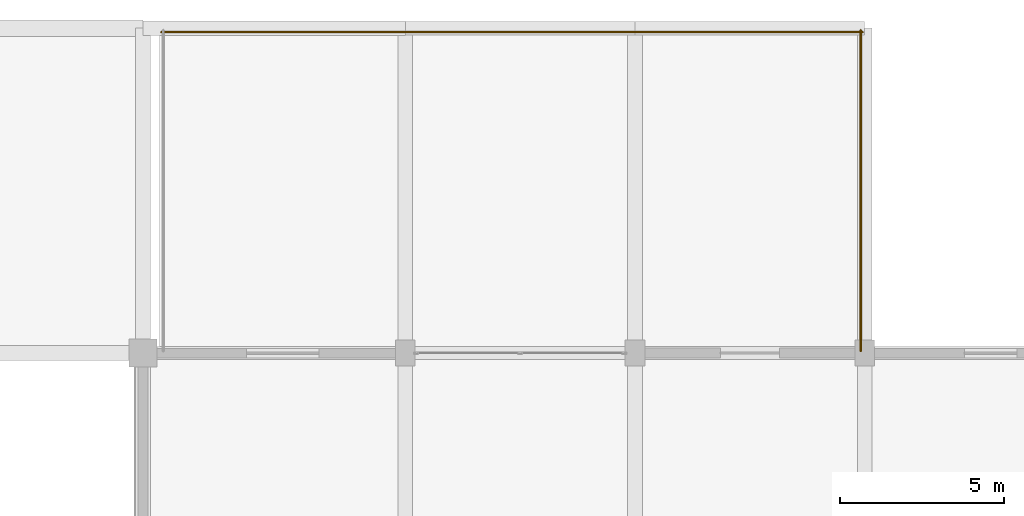
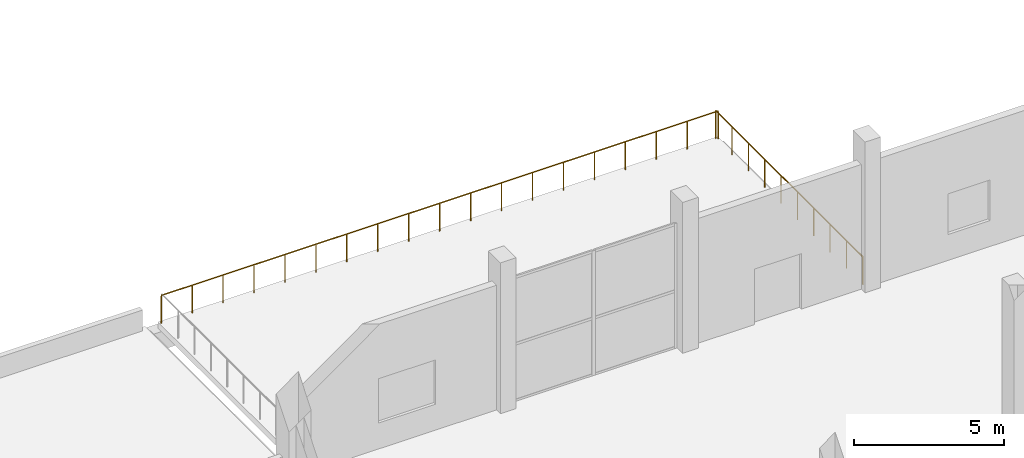
# One storey, part 58 of 58: 2 railings.
"""IFC4 building model written with IfcOpenShell, lengths in metres."""

import ifcopenshell
import ifcopenshell.guid

model = None  # the IFC model being written
_history = None  # IfcOwnerHistory: only IFC2X3 demands one
_inside = {}  # id of a spatial element -> (the spatial element, [elements in it])
_under = {}  # id of a project, library or spatial element -> (it, [spatial elements below it])
_declared = {}  # id of a project -> (the project, [libraries it declares])
_typed = {}  # id of a type object -> (the type object, [elements of that type])
_made_of = {}  # id of a material, layer set ... -> (it, [elements and type objects made of it])


def new_model(schema):
    """Start an empty IFC model of exactly this schema.

    Asked for "IFC4X3", IfcOpenShell would pick the latest addendum, in which some entities
    have other attributes; the version numbers below select the first issue.
    IFC2X3 requires an IfcOwnerHistory on every rooted entity: one is made here for all.
    """
    global model, _history
    if schema == "IFC4X3":
        model = ifcopenshell.file(schema_version=(4, 3, 0, 0))
    else:
        model = ifcopenshell.file(schema=schema)
    _inside.clear()
    _under.clear()
    _declared.clear()
    _typed.clear()
    _made_of.clear()
    _history = None
    if model.schema == "IFC2X3":
        org = make("IfcOrganization", Name="unknown")
        user = make(
            "IfcPersonAndOrganization",
            ThePerson=make("IfcPerson", FamilyName="unknown"),
            TheOrganization=org,
        )
        app = make(
            "IfcApplication",
            ApplicationDeveloper=org,
            Version="unknown",
            ApplicationFullName="unknown",
            ApplicationIdentifier="unknown",
        )
        _history = make(
            "IfcOwnerHistory",
            OwningUser=user,
            OwningApplication=app,
            ChangeAction="ADDED",
            CreationDate=0,
        )
    return model


def make(cls, **values):
    """One entity of the class cls with the attributes given. An attribute that is None is left unset."""
    return model.create_entity(
        cls, **{name: value for name, value in values.items() if value is not None}
    )


def rooted(cls, **values):
    """An entity with a GlobalId (a new one), such as an element, a storey or a relation."""
    return make(cls, GlobalId=ifcopenshell.guid.new(), OwnerHistory=_history, **values)


def si_unit(unit_type, name, prefix=None):
    """IfcSIUnit, for example si_unit("LENGTHUNIT", "METRE", prefix="MILLI")."""
    return make("IfcSIUnit", UnitType=unit_type, Prefix=prefix, Name=name)


def assignment(units):
    """IfcUnitAssignment: the units of a project."""
    return None if units is None else make("IfcUnitAssignment", Units=units)


def point(xyz):
    """IfcCartesianPoint."""
    return None if xyz is None else make("IfcCartesianPoint", Coordinates=xyz)


def direction(xyz):
    """IfcDirection."""
    return None if xyz is None else make("IfcDirection", DirectionRatios=xyz)


def frame(location, z_axis=None, x_axis=None):
    """IfcAxis2Placement3D, a coordinate frame: its origin and axes. An axis left out is left unset."""
    return make(
        "IfcAxis2Placement3D",
        Location=point(location),
        Axis=direction(z_axis),
        RefDirection=direction(x_axis),
    )


def frame_2d(location, x_axis=None):
    """IfcAxis2Placement2D, a coordinate frame in the plane: its origin and x axis."""
    return make(
        "IfcAxis2Placement2D", Location=point(location), RefDirection=direction(x_axis)
    )


def origin():
    """The frame at (0, 0, 0) with its axes left unset."""
    return frame((0.0, 0.0, 0.0))


def origin_2d():
    """The frame at (0, 0) in the plane with its x axis left unset."""
    return frame_2d((0.0, 0.0))


def place(relative_to, where):
    """IfcLocalPlacement: puts the frame where relative to a parent placement (None: the world)."""
    return make(
        "IfcLocalPlacement", PlacementRelTo=relative_to, RelativePlacement=where
    )


def context(
    kind, dimensions, precision=None, world=None, true_north=None, identifier=None
):
    """IfcGeometricRepresentationContext, for example the 3D "Model" context."""
    return make(
        "IfcGeometricRepresentationContext",
        ContextIdentifier=identifier,
        ContextType=kind,
        CoordinateSpaceDimension=dimensions,
        Precision=precision,
        WorldCoordinateSystem=world,
        TrueNorth=true_north,
    )


def subcontext(parent, identifier, kind, view, scale=None):
    """IfcGeometricRepresentationSubContext, for example "Body" below "Model"."""
    return make(
        "IfcGeometricRepresentationSubContext",
        ContextIdentifier=identifier,
        ContextType=kind,
        ParentContext=parent,
        TargetScale=scale,
        TargetView=view,
    )


def project(units=None, contexts=None):
    """IfcProject with its units and contexts."""
    return rooted(
        "IfcProject",
        Name="project",
        RepresentationContexts=contexts,
        UnitsInContext=assignment(units),
    )


def spatial(cls, under=None, at=None, **own):
    """A site, building, storey or space (cls), placed at a placement, below another one or the project."""
    s = rooted(cls, ObjectPlacement=at, **own)
    if under is not None:
        _under.setdefault(under.id(), (under, []))[1].append(s)
    return s


def profile(cls, at=None, kind="AREA", **sizes):
    """A parametric profile (cls). Its sizes go by their IFC names, for example OverallWidth=200.0."""
    return make(cls, ProfileType=kind, Position=at, **sizes)


def circle(**sizes):
    """IfcCircleProfileDef."""
    return profile("IfcCircleProfileDef", **sizes)


def extrude(swept, where, along, depth):
    """IfcExtrudedAreaSolid: the profile swept, set in the frame where, extruded along a direction by depth."""
    return make(
        "IfcExtrudedAreaSolid",
        SweptArea=swept,
        Position=where,
        ExtrudedDirection=direction(along),
        Depth=depth,
    )


def shape(context_of_items, identifier, shape_type, items):
    """IfcShapeRepresentation: the items that make up one representation, for example the "Body"."""
    return make(
        "IfcShapeRepresentation",
        ContextOfItems=context_of_items,
        RepresentationIdentifier=identifier,
        RepresentationType=shape_type,
        Items=items,
    )


def material(Name=None, Category=None):
    """IfcMaterial."""
    return make("IfcMaterial", Name=Name, Category=Category)


def made_of(thing, what):
    """Note that an element or type object is made of a material, layer set ...; save() writes the relation."""
    if what is not None:
        _made_of.setdefault(what.id(), (what, []))[1].append(thing)
    return thing


def type_object(cls, material=None, **own):
    """A type object (cls), such as IfcWallType, which elements share."""
    return made_of(rooted(cls, **own), material)


def element(
    cls,
    number,
    at=None,
    inside=None,
    cuts=None,
    type_object=None,
    material=None,
    context=None,
    identifier="Body",
    shape_type=None,
    held_by="IfcProductDefinitionShape",
    body=None,
    shapes=None,
    **own,
):
    """One element of the class cls, such as IfcWall. Its Tag is "e" and its number.

    at: its placement. inside: the storey or other place that contains it. cuts: it is an
    opening in that element (IfcRelVoidsElement). A single representation is given by context,
    identifier, shape_type and body (its items); several are given by shapes. held_by: the class
    of the entity that holds the representations. save() writes the other relations.
    """
    e = rooted(cls, Tag="e%d" % number, ObjectPlacement=at, **own)
    if body is not None:
        shapes = [shape(context, identifier, shape_type, body)]
    if shapes is not None:
        e.Representation = make(held_by, Representations=shapes)
    if inside is not None:
        _inside.setdefault(inside.id(), (inside, []))[1].append(e)
    if cuts is not None:
        rooted(
            "IfcRelVoidsElement", RelatingBuildingElement=cuts, RelatedOpeningElement=e
        )
    if type_object is not None:
        _typed.setdefault(type_object.id(), (type_object, []))[1].append(e)
    return made_of(e, material)


def aggregate(whole, parts):
    """IfcRelAggregates: a whole, such as a stair, and the parts it consists of."""
    return rooted("IfcRelAggregates", RelatingObject=whole, RelatedObjects=parts)


def save(model, path):
    """Write the relations noted so far, then the file.

    IfcRelAggregates (storeys below a building ...), IfcRelContainedInSpatialStructure (elements
    in a storey), IfcRelDefinesByType, IfcRelAssociatesMaterial and IfcRelDeclares: one each for
    every whole, place, type object, material and project.
    """
    for whole, parts in _under.values():
        aggregate(whole, parts)
    for where, things in _inside.values():
        rooted(
            "IfcRelContainedInSpatialStructure",
            RelatedElements=things,
            RelatingStructure=where,
        )
    for kind, things in _typed.values():
        rooted("IfcRelDefinesByType", RelatedObjects=things, RelatingType=kind)
    for what, things in _made_of.values():
        rooted("IfcRelAssociatesMaterial", RelatedObjects=things, RelatingMaterial=what)
    for by, libraries in _declared.values():
        rooted("IfcRelDeclares", RelatingContext=by, RelatedDefinitions=libraries)
    model.write(path)


model = new_model("IFC4")

# Units and contexts
model_context = context("Model", 3, precision=1e-05, world=origin(), true_north=direction((0.0, 1.0)))
body_context = subcontext(model_context, "Body", "Model", "MODEL_VIEW")
ifc_project = project(units=[si_unit("LENGTHUNIT", "METRE"), si_unit("AREAUNIT", "SQUARE_METRE"), si_unit("VOLUMEUNIT", "CUBIC_METRE"), si_unit("PLANEANGLEUNIT", "RADIAN"), si_unit("MASSUNIT", "GRAM", prefix="KILO")], contexts=[model_context])

# Site, building, storey
site_placement = place(None, origin())
site = spatial("IfcSite", under=ifc_project, at=site_placement, CompositionType="ELEMENT")
building_placement = place(site_placement, origin())
building = spatial("IfcBuilding", under=site, at=building_placement, Name="Sillaruma Civic Art Gallery", CompositionType="ELEMENT")
storey_placement = place(building_placement, frame((0.0, 0.0, 22.43994140625)))
storey = spatial("IfcBuildingStorey", under=building, at=storey_placement, Name="L04", CompositionType="ELEMENT", Elevation=22.43994140625)

# Railings
ifc_material = material(Name="Stainless Steel AISI 316", Category="steel")
railing_type = type_object("IfcRailingType", Name="RAL-BAL-1150", PredefinedType="BALUSTRADE", material=ifc_material)
railing_1_placement = place(storey_placement, frame((62.56005859375, 108.780029296875, 0.0)))
element("IfcRailing", 1, at=railing_1_placement, inside=storey, type_object=railing_type, Name="Sculpture Terrace Balustrade (SLB-L04-TER-N-2)", PredefinedType="BALUSTRADE", context=body_context, shape_type="SweptSolid", body=[
    extrude(circle(Radius=0.02392578125, at=origin_2d()), frame((0.0, 0.0, 1.1259765625), z_axis=(1.0, 0.0, 0.0), x_axis=(0.0, 1.0, 0.0)), (0.0, 0.0, 1.0), 21.3798828125),
    extrude(circle(Radius=0.02099609375, at=origin_2d()), origin(), (0.0, 0.0, 1.0), 1.101806640625),
    extrude(circle(Radius=0.02099609375, at=origin_2d()), frame((1.187744140625, 0.0, 0.0)), (0.0, 0.0, 1.0), 1.101806640625),
    extrude(circle(Radius=0.02099609375, at=origin_2d()), frame((2.37548828125, 0.0, 0.0)), (0.0, 0.0, 1.0), 1.101806640625),
    extrude(circle(Radius=0.02099609375, at=origin_2d()), frame((3.563232421875, 0.0, 0.0)), (0.0, 0.0, 1.0), 1.101806640625),
    extrude(circle(Radius=0.02099609375, at=origin_2d()), frame((4.7509765625, 0.0, 0.0)), (0.0, 0.0, 1.0), 1.101806640625),
    extrude(circle(Radius=0.02099609375, at=origin_2d()), frame((5.93896484375, 0.0, 0.0)), (0.0, 0.0, 1.0), 1.101806640625),
    extrude(circle(Radius=0.02099609375, at=origin_2d()), frame((7.126708984375, 0.0, 0.0)), (0.0, 0.0, 1.0), 1.101806640625),
    extrude(circle(Radius=0.02099609375, at=origin_2d()), frame((8.314453125, 0.0, 0.0)), (0.0, 0.0, 1.0), 1.101806640625),
    extrude(circle(Radius=0.02099609375, at=origin_2d()), frame((9.502197265625, 0.0, 0.0)), (0.0, 0.0, 1.0), 1.101806640625),
    extrude(circle(Radius=0.02099609375, at=origin_2d()), frame((10.68994140625, 0.0, 0.0)), (0.0, 0.0, 1.0), 1.101806640625),
    extrude(circle(Radius=0.02099609375, at=origin_2d()), frame((11.877685546875, 0.0, 0.0)), (0.0, 0.0, 1.0), 1.101806640625),
    extrude(circle(Radius=0.02099609375, at=origin_2d()), frame((13.0654296875, 0.0, 0.0)), (0.0, 0.0, 1.0), 1.101806640625),
    extrude(circle(Radius=0.02099609375, at=origin_2d()), frame((14.253173828125, 0.0, 0.0)), (0.0, 0.0, 1.0), 1.101806640625),
    extrude(circle(Radius=0.02099609375, at=origin_2d()), frame((15.44091796875, 0.0, 0.0)), (0.0, 0.0, 1.0), 1.101806640625),
    extrude(circle(Radius=0.02099609375, at=origin_2d()), frame((16.62890625, 0.0, 0.0)), (0.0, 0.0, 1.0), 1.101806640625),
    extrude(circle(Radius=0.02099609375, at=origin_2d()), frame((17.816650390625, 0.0, 0.0)), (0.0, 0.0, 1.0), 1.101806640625),
    extrude(circle(Radius=0.02099609375, at=origin_2d()), frame((19.00439453125, 0.0, 0.0)), (0.0, 0.0, 1.0), 1.101806640625),
    extrude(circle(Radius=0.02099609375, at=origin_2d()), frame((20.192138671875, 0.0, 0.0)), (0.0, 0.0, 1.0), 1.101806640625),
    extrude(circle(Radius=0.02099609375, at=origin_2d()), frame((21.3798828125, 0.0, 0.0)), (0.0, 0.0, 1.0), 1.101806640625),
])
railing_2_placement = place(storey_placement, frame((83.8798828125, 99.06005859375, 0.0)))
element("IfcRailing", 2, at=railing_2_placement, inside=storey, type_object=railing_type, Name="Sculpture Terrace Balustrade (SLB-L04-TER-N-3)", PredefinedType="BALUSTRADE", context=body_context, shape_type="SweptSolid", body=[
    extrude(circle(Radius=0.02392578125, at=origin_2d()), frame((0.0, 0.0, 1.1259765625), z_axis=(0.0, 1.0, 0.0), x_axis=(-1.0, 0.0, 0.0)), (0.0, 0.0, 1.0), 9.780029296875),
    extrude(circle(Radius=0.02099609375, at=origin_2d()), origin(), (0.0, 0.0, 1.0), 1.101806640625),
    extrude(circle(Radius=0.02099609375, at=origin_2d()), frame((0.0, 1.086669921875, 0.0)), (0.0, 0.0, 1.0), 1.101806640625),
    extrude(circle(Radius=0.02099609375, at=origin_2d()), frame((0.0, 2.17333984375, 0.0)), (0.0, 0.0, 1.0), 1.101806640625),
    extrude(circle(Radius=0.02099609375, at=origin_2d()), frame((0.0, 3.260009765625, 0.0)), (0.0, 0.0, 1.0), 1.101806640625),
    extrude(circle(Radius=0.02099609375, at=origin_2d()), frame((0.0, 4.3466796875, 0.0)), (0.0, 0.0, 1.0), 1.101806640625),
    extrude(circle(Radius=0.02099609375, at=origin_2d()), frame((0.0, 5.433349609375, 0.0)), (0.0, 0.0, 1.0), 1.101806640625),
    extrude(circle(Radius=0.02099609375, at=origin_2d()), frame((0.0, 6.52001953125, 0.0)), (0.0, 0.0, 1.0), 1.101806640625),
    extrude(circle(Radius=0.02099609375, at=origin_2d()), frame((0.0, 7.606689453125, 0.0)), (0.0, 0.0, 1.0), 1.101806640625),
    extrude(circle(Radius=0.02099609375, at=origin_2d()), frame((0.0, 8.693359375, 0.0)), (0.0, 0.0, 1.0), 1.101806640625),
    extrude(circle(Radius=0.02099609375, at=origin_2d()), frame((0.0, 9.780029296875, 0.0)), (0.0, 0.0, 1.0), 1.101806640625),
])

save(model, "model.ifc")
